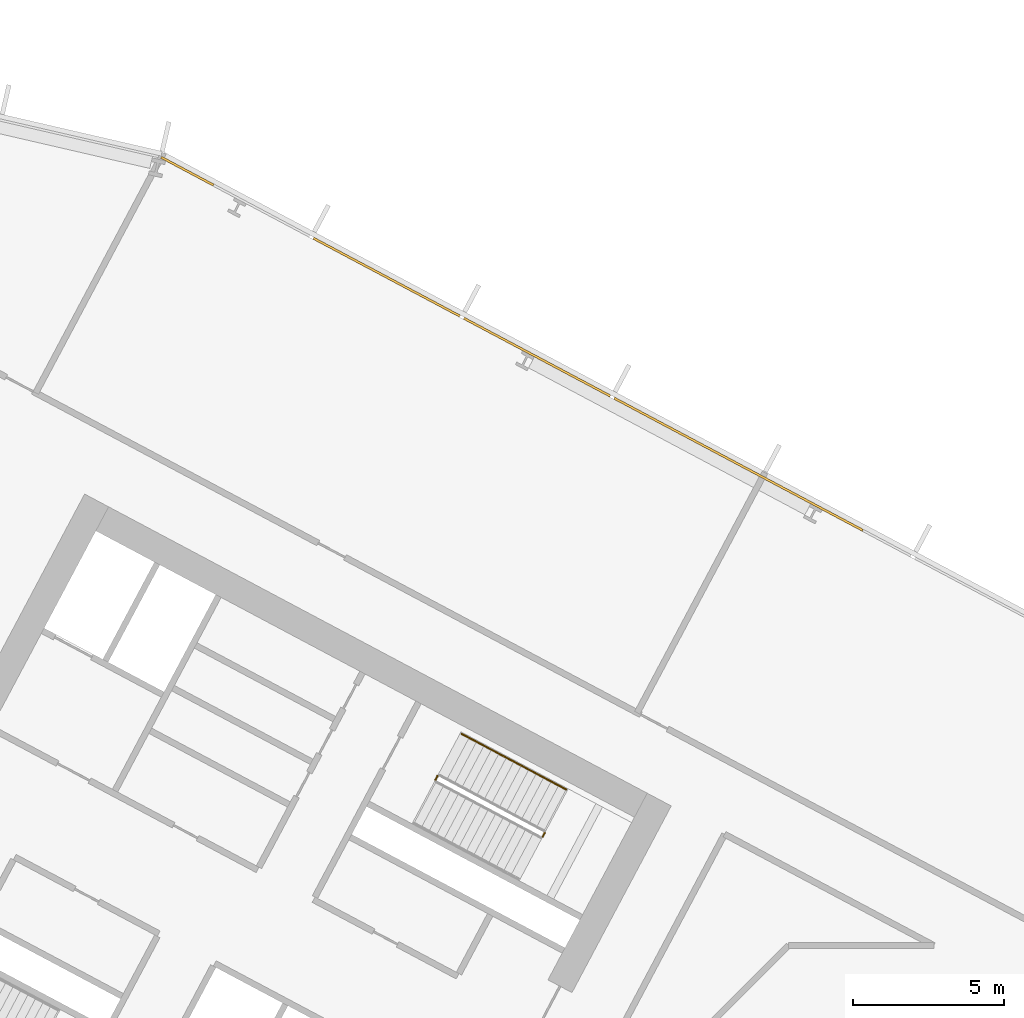
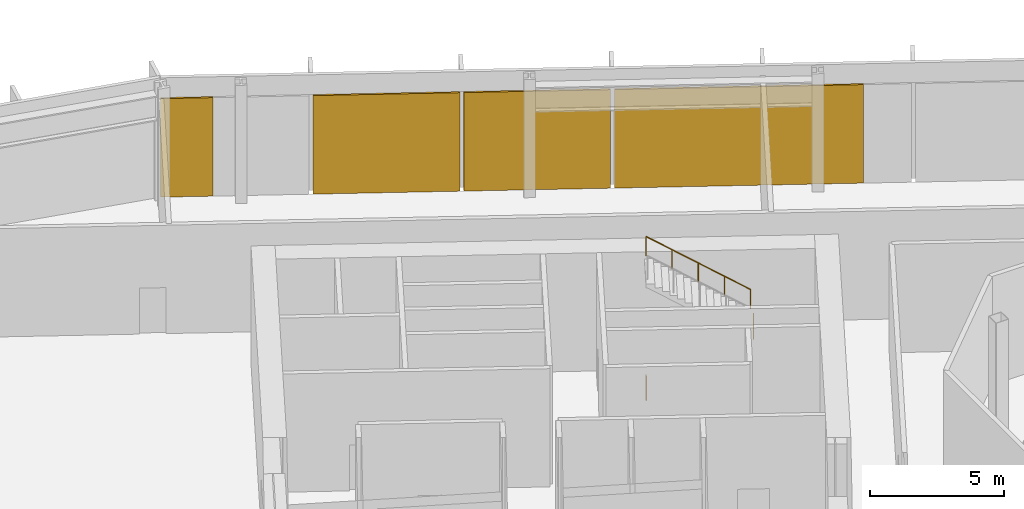
# One storey, part 25 of 32: 4 coverings, 3 railings, 1 element without a shape of its own.
"""IFC4 building model written with IfcOpenShell, lengths in metres."""

import ifcopenshell
import ifcopenshell.guid

model = None  # the IFC model being written
_history = None  # IfcOwnerHistory: only IFC2X3 demands one
_inside = {}  # id of a spatial element -> (the spatial element, [elements in it])
_under = {}  # id of a project, library or spatial element -> (it, [spatial elements below it])
_declared = {}  # id of a project -> (the project, [libraries it declares])
_typed = {}  # id of a type object -> (the type object, [elements of that type])
_made_of = {}  # id of a material, layer set ... -> (it, [elements and type objects made of it])


def new_model(schema):
    """Start an empty IFC model of exactly this schema.

    Asked for "IFC4X3", IfcOpenShell would pick the latest addendum, in which some entities
    have other attributes; the version numbers below select the first issue.
    IFC2X3 requires an IfcOwnerHistory on every rooted entity: one is made here for all.
    """
    global model, _history
    if schema == "IFC4X3":
        model = ifcopenshell.file(schema_version=(4, 3, 0, 0))
    else:
        model = ifcopenshell.file(schema=schema)
    _inside.clear()
    _under.clear()
    _declared.clear()
    _typed.clear()
    _made_of.clear()
    _history = None
    if model.schema == "IFC2X3":
        org = make("IfcOrganization", Name="unknown")
        user = make(
            "IfcPersonAndOrganization",
            ThePerson=make("IfcPerson", FamilyName="unknown"),
            TheOrganization=org,
        )
        app = make(
            "IfcApplication",
            ApplicationDeveloper=org,
            Version="unknown",
            ApplicationFullName="unknown",
            ApplicationIdentifier="unknown",
        )
        _history = make(
            "IfcOwnerHistory",
            OwningUser=user,
            OwningApplication=app,
            ChangeAction="ADDED",
            CreationDate=0,
        )
    return model


def make(cls, **values):
    """One entity of the class cls with the attributes given. An attribute that is None is left unset."""
    return model.create_entity(
        cls, **{name: value for name, value in values.items() if value is not None}
    )


def rooted(cls, **values):
    """An entity with a GlobalId (a new one), such as an element, a storey or a relation."""
    return make(cls, GlobalId=ifcopenshell.guid.new(), OwnerHistory=_history, **values)


def si_unit(unit_type, name, prefix=None):
    """IfcSIUnit, for example si_unit("LENGTHUNIT", "METRE", prefix="MILLI")."""
    return make("IfcSIUnit", UnitType=unit_type, Prefix=prefix, Name=name)


def assignment(units):
    """IfcUnitAssignment: the units of a project."""
    return None if units is None else make("IfcUnitAssignment", Units=units)


def point(xyz):
    """IfcCartesianPoint."""
    return None if xyz is None else make("IfcCartesianPoint", Coordinates=xyz)


def direction(xyz):
    """IfcDirection."""
    return None if xyz is None else make("IfcDirection", DirectionRatios=xyz)


def frame(location, z_axis=None, x_axis=None):
    """IfcAxis2Placement3D, a coordinate frame: its origin and axes. An axis left out is left unset."""
    return make(
        "IfcAxis2Placement3D",
        Location=point(location),
        Axis=direction(z_axis),
        RefDirection=direction(x_axis),
    )


def frame_2d(location, x_axis=None):
    """IfcAxis2Placement2D, a coordinate frame in the plane: its origin and x axis."""
    return make(
        "IfcAxis2Placement2D", Location=point(location), RefDirection=direction(x_axis)
    )


def origin():
    """The frame at (0, 0, 0) with its axes left unset."""
    return frame((0.0, 0.0, 0.0))


def origin_2d():
    """The frame at (0, 0) in the plane with its x axis left unset."""
    return frame_2d((0.0, 0.0))


def place(relative_to, where):
    """IfcLocalPlacement: puts the frame where relative to a parent placement (None: the world)."""
    return make(
        "IfcLocalPlacement", PlacementRelTo=relative_to, RelativePlacement=where
    )


def context(
    kind, dimensions, precision=None, world=None, true_north=None, identifier=None
):
    """IfcGeometricRepresentationContext, for example the 3D "Model" context."""
    return make(
        "IfcGeometricRepresentationContext",
        ContextIdentifier=identifier,
        ContextType=kind,
        CoordinateSpaceDimension=dimensions,
        Precision=precision,
        WorldCoordinateSystem=world,
        TrueNorth=true_north,
    )


def subcontext(parent, identifier, kind, view, scale=None):
    """IfcGeometricRepresentationSubContext, for example "Body" below "Model"."""
    return make(
        "IfcGeometricRepresentationSubContext",
        ContextIdentifier=identifier,
        ContextType=kind,
        ParentContext=parent,
        TargetScale=scale,
        TargetView=view,
    )


def project(units=None, contexts=None):
    """IfcProject with its units and contexts."""
    return rooted(
        "IfcProject",
        Name="project",
        RepresentationContexts=contexts,
        UnitsInContext=assignment(units),
    )


def spatial(cls, under=None, at=None, **own):
    """A site, building, storey or space (cls), placed at a placement, below another one or the project."""
    s = rooted(cls, ObjectPlacement=at, **own)
    if under is not None:
        _under.setdefault(under.id(), (under, []))[1].append(s)
    return s


def polyline(points):
    """IfcPolyline through the points."""
    return make("IfcPolyline", Points=[point(p) for p in points])


def profile(cls, at=None, kind="AREA", **sizes):
    """A parametric profile (cls). Its sizes go by their IFC names, for example OverallWidth=200.0."""
    return make(cls, ProfileType=kind, Position=at, **sizes)


def rectangle(**sizes):
    """IfcRectangleProfileDef."""
    return profile("IfcRectangleProfileDef", **sizes)


def outline(outer, holes=None, kind="AREA"):
    """IfcArbitraryClosedProfileDef: a profile drawn as a closed curve; with holes, ...WithVoids."""
    if holes is None:
        return make("IfcArbitraryClosedProfileDef", ProfileType=kind, OuterCurve=outer)
    return make(
        "IfcArbitraryProfileDefWithVoids",
        ProfileType=kind,
        OuterCurve=outer,
        InnerCurves=holes,
    )


def extrude(swept, where, along, depth):
    """IfcExtrudedAreaSolid: the profile swept, set in the frame where, extruded along a direction by depth."""
    return make(
        "IfcExtrudedAreaSolid",
        SweptArea=swept,
        Position=where,
        ExtrudedDirection=direction(along),
        Depth=depth,
    )


def shape(context_of_items, identifier, shape_type, items):
    """IfcShapeRepresentation: the items that make up one representation, for example the "Body"."""
    return make(
        "IfcShapeRepresentation",
        ContextOfItems=context_of_items,
        RepresentationIdentifier=identifier,
        RepresentationType=shape_type,
        Items=items,
    )


def material(Name=None, Category=None):
    """IfcMaterial."""
    return make("IfcMaterial", Name=Name, Category=Category)


def layer(
    of_material, thickness, ventilated=None, Name=None, Category=None, Priority=None
):
    """IfcMaterialLayer: one layer of a wall or slab, of a material (None: an air gap)."""
    return make(
        "IfcMaterialLayer",
        Material=of_material,
        LayerThickness=thickness,
        IsVentilated=ventilated,
        Name=Name,
        Category=Category,
        Priority=Priority,
    )


def layer_set(layers, Name=None):
    """IfcMaterialLayerSet."""
    return make("IfcMaterialLayerSet", MaterialLayers=layers, LayerSetName=Name)


def made_of(thing, what):
    """Note that an element or type object is made of a material, layer set ...; save() writes the relation."""
    if what is not None:
        _made_of.setdefault(what.id(), (what, []))[1].append(thing)
    return thing


def type_object(cls, material=None, **own):
    """A type object (cls), such as IfcWallType, which elements share."""
    return made_of(rooted(cls, **own), material)


def element(
    cls,
    number,
    at=None,
    inside=None,
    cuts=None,
    type_object=None,
    material=None,
    context=None,
    identifier="Body",
    shape_type=None,
    held_by="IfcProductDefinitionShape",
    body=None,
    shapes=None,
    **own,
):
    """One element of the class cls, such as IfcWall. Its Tag is "e" and its number.

    at: its placement. inside: the storey or other place that contains it. cuts: it is an
    opening in that element (IfcRelVoidsElement). A single representation is given by context,
    identifier, shape_type and body (its items); several are given by shapes. held_by: the class
    of the entity that holds the representations. save() writes the other relations.
    """
    e = rooted(cls, Tag="e%d" % number, ObjectPlacement=at, **own)
    if body is not None:
        shapes = [shape(context, identifier, shape_type, body)]
    if shapes is not None:
        e.Representation = make(held_by, Representations=shapes)
    if inside is not None:
        _inside.setdefault(inside.id(), (inside, []))[1].append(e)
    if cuts is not None:
        rooted(
            "IfcRelVoidsElement", RelatingBuildingElement=cuts, RelatedOpeningElement=e
        )
    if type_object is not None:
        _typed.setdefault(type_object.id(), (type_object, []))[1].append(e)
    return made_of(e, material)


def aggregate(whole, parts):
    """IfcRelAggregates: a whole, such as a stair, and the parts it consists of."""
    return rooted("IfcRelAggregates", RelatingObject=whole, RelatedObjects=parts)


def save(model, path):
    """Write the relations noted so far, then the file.

    IfcRelAggregates (storeys below a building ...), IfcRelContainedInSpatialStructure (elements
    in a storey), IfcRelDefinesByType, IfcRelAssociatesMaterial and IfcRelDeclares: one each for
    every whole, place, type object, material and project.
    """
    for whole, parts in _under.values():
        aggregate(whole, parts)
    for where, things in _inside.values():
        rooted(
            "IfcRelContainedInSpatialStructure",
            RelatedElements=things,
            RelatingStructure=where,
        )
    for kind, things in _typed.values():
        rooted("IfcRelDefinesByType", RelatedObjects=things, RelatingType=kind)
    for what, things in _made_of.values():
        rooted("IfcRelAssociatesMaterial", RelatedObjects=things, RelatingMaterial=what)
    for by, libraries in _declared.values():
        rooted("IfcRelDeclares", RelatingContext=by, RelatedDefinitions=libraries)
    model.write(path)


model = new_model("IFC4")

# Units and contexts
model_context = context("Model", 3, precision=1e-05, world=origin(), true_north=direction((0.0, 1.0)))
body_context = subcontext(model_context, "Body", "Model", "MODEL_VIEW")
ifc_project = project(units=[si_unit("LENGTHUNIT", "METRE"), si_unit("AREAUNIT", "SQUARE_METRE"), si_unit("VOLUMEUNIT", "CUBIC_METRE"), si_unit("PLANEANGLEUNIT", "RADIAN"), si_unit("MASSUNIT", "GRAM", prefix="KILO")], contexts=[model_context])

# Site, building, storey
site_placement = place(None, origin())
site = spatial("IfcSite", under=ifc_project, at=site_placement, CompositionType="ELEMENT")
building_placement = place(site_placement, origin())
building = spatial("IfcBuilding", under=site, at=building_placement, Name="Cormorant Relay Tower", CompositionType="ELEMENT")
storey_placement = place(building_placement, frame((0.0, 0.0, 39.199951171875)))
storey = spatial("IfcBuildingStorey", under=building, at=storey_placement, Name="L07", CompositionType="ELEMENT", Elevation=39.199951171875)

# Curtain wall, coverings
ifc_material_1 = material(Name="Aluminium 6063-T6 anodised bronze", Category="aluminium")
ifc_layer_1 = layer(ifc_material_1, 0.235107421875)
ifc_layer_set_1 = layer_set([ifc_layer_1], Name="CW6 data hall curtain wall with mineral wool panels")
curtain_wall_type = type_object("IfcCurtainWallType", Name="CW6 data hall curtain wall with mineral wool panels", PredefinedType="NOTDEFINED", material=ifc_layer_set_1)
curtain_wall_placement = place(storey_placement, origin())
curtain_wall = element("IfcCurtainWall", 1, at=curtain_wall_placement, inside=storey, type_object=curtain_wall_type, Name="CW6 curtain wall 7", PredefinedType="NOTDEFINED")
ifc_material_2 = material(Name="Mineral wool cored anodised bronze aluminium cassette panel", Category="aluminium")
ifc_layer_2 = layer(ifc_material_2, 0.074951171875)
ifc_layer_set_2 = layer_set([ifc_layer_2], Name="CW6 mineral wool cassette panel 75")
covering_type = type_object("IfcCoveringType", Name="CW6 mineral wool cassette panel 75", PredefinedType="CLADDING", material=ifc_layer_set_2)
covering_1_placement = place(storey_placement, frame((-10.735107421875, 29.5341796875, 0.0), z_axis=(0.0, 0.0, 1.0), x_axis=(-0.882947592859, 0.469471562786, 0.0)))
covering_1 = element("IfcCovering", 2, at=covering_1_placement, type_object=covering_type, Name="CW6 panel S02", PredefinedType="CLADDING", context=body_context, shape_type="SweptSolid", body=[
    extrude(rectangle(XDim=9.327880859375, YDim=0.074951171875, at=origin_2d()), origin(), (0.0, 0.0, 1.0), 4.5),
])
covering_2_placement = place(storey_placement, frame((-17.40869140625, 33.082763671875, 0.0), z_axis=(0.0, 0.0, 1.0), x_axis=(-0.882947592859, 0.469471562786, 0.0)))
covering_2 = element("IfcCovering", 3, at=covering_2_placement, type_object=covering_type, Name="CW6 panel S03", PredefinedType="CLADDING", context=body_context, shape_type="SweptSolid", body=[
    extrude(rectangle(XDim=5.489013671875, YDim=0.074951171875, at=origin_2d()), origin(), (0.0, 0.0, 1.0), 4.5),
])
covering_3_placement = place(storey_placement, frame((-22.3876953125, 35.730224609375, 0.0), z_axis=(0.0, 0.0, 1.0), x_axis=(-0.882947592859, 0.469471562786, 0.0)))
covering_3 = element("IfcCovering", 4, at=covering_3_placement, type_object=covering_type, Name="CW6 panel S04", PredefinedType="CLADDING", context=body_context, shape_type="SweptSolid", body=[
    extrude(rectangle(XDim=5.489013671875, YDim=0.074951171875, at=origin_2d()), origin(), (0.0, 0.0, 1.0), 4.5),
])
covering_4_placement = place(storey_placement, frame((-28.989013671875, 39.240234375, 0.0), z_axis=(0.0, 0.0, 1.0), x_axis=(-0.882947592859, 0.469471562786, 0.0)))
covering_4 = element("IfcCovering", 5, at=covering_4_placement, type_object=covering_type, Name="CW6 panel S06", PredefinedType="CLADDING", context=body_context, shape_type="SweptSolid", body=[
    extrude(rectangle(XDim=1.964111328125, YDim=0.074951171875, at=origin_2d()), origin(), (0.0, 0.0, 1.0), 4.5),
])
aggregate(curtain_wall, [covering_1, covering_2, covering_3, covering_4])

# Railings
ifc_material_3 = material(Name="Steel ASTM A572 Grade 50 (Fy 345 MPa)", Category="steel")
railing_type_1 = type_object("IfcRailingType", Name="Stair guard 1100", PredefinedType="GUARDRAIL", material=ifc_material_3)
railing_1_placement = place(storey_placement, frame((-17.2216796875, 17.1982421875, 2.699951171875)))
element("IfcRailing", 6, at=railing_1_placement, inside=storey, type_object=railing_type_1, Name="L07 A1 stair guard 2", PredefinedType="GUARDRAIL", context=body_context, shape_type="SweptSolid", body=[
    extrude(outline(polyline([(0.022216796875, 0.00927734375), (0.00927734375, 0.022216796875), (-0.00927734375, 0.022216796875), (-0.022216796875, 0.00927734375), (-0.022216796875, -0.00927734375), (-0.00927734375, -0.022216796875), (0.00927734375, -0.022216796875), (0.022216796875, -0.00927734375), (0.022216796875, 0.00927734375)])), frame((0.0, 0.0, 1.076171875), z_axis=(0.469234640946, 0.883073525669, 0.0), x_axis=(-0.883073525669, 0.469234640946, 0.0)), (0.0, 0.0, 1.0), 0.14990234375),
    extrude(outline(polyline([(0.019287109375, 0.008056640625), (0.008056640625, 0.019287109375), (-0.008056640625, 0.019287109375), (-0.019287109375, 0.008056640625), (-0.019287109375, -0.008056640625), (-0.008056640625, -0.019287109375), (0.008056640625, -0.019287109375), (0.019287109375, -0.008056640625), (0.019287109375, 0.008056640625)])), origin(), (0.0, 0.0, 1.0), 1.052001953125),
    extrude(outline(polyline([(0.019287109375, 0.008056640625), (0.008056640625, 0.019287109375), (-0.008056640625, 0.019287109375), (-0.019287109375, 0.008056640625), (-0.019287109375, -0.008056640625), (-0.008056640625, -0.019287109375), (0.008056640625, -0.019287109375), (0.019287109375, -0.008056640625), (0.019287109375, 0.008056640625)])), frame((0.0703125, 0.13232421875, 0.0)), (0.0, 0.0, 1.0), 1.052001953125),
])
railing_2_placement = place(storey_placement, frame((-20.771240234375, 19.08544921875, 0.0)))
element("IfcRailing", 7, at=railing_2_placement, inside=storey, type_object=railing_type_1, Name="L07 A1 stair guard 4", PredefinedType="GUARDRAIL", context=body_context, shape_type="SweptSolid", body=[
    extrude(outline(polyline([(0.022216796875, 0.00927734375), (0.00927734375, 0.022216796875), (-0.00927734375, 0.022216796875), (-0.022216796875, 0.00927734375), (-0.022216796875, -0.00927734375), (-0.00927734375, -0.022216796875), (0.00927734375, -0.022216796875), (0.022216796875, -0.00927734375), (0.022216796875, 0.00927734375)])), frame((0.0, 0.0, 1.076171875), z_axis=(0.469828648786, 0.882757634224, 0.0), x_axis=(-0.882757634224, 0.469828648786, 0.0)), (0.0, 0.0, 1.0), 0.150146484375),
    extrude(outline(polyline([(0.019287109375, 0.008056640625), (0.008056640625, 0.019287109375), (-0.008056640625, 0.019287109375), (-0.019287109375, 0.008056640625), (-0.019287109375, -0.008056640625), (-0.008056640625, -0.019287109375), (0.008056640625, -0.019287109375), (0.019287109375, -0.008056640625), (0.019287109375, 0.008056640625)])), origin(), (0.0, 0.0, 1.0), 1.052001953125),
    extrude(outline(polyline([(0.019287109375, 0.008056640625), (0.008056640625, 0.019287109375), (-0.008056640625, 0.019287109375), (-0.019287109375, 0.008056640625), (-0.019287109375, -0.008056640625), (-0.008056640625, -0.019287109375), (0.008056640625, -0.019287109375), (0.019287109375, -0.008056640625), (0.019287109375, 0.008056640625)])), frame((0.070556640625, 0.132568359375, 0.0)), (0.0, 0.0, 1.0), 1.052001953125),
])
ifc_material_4 = material(Name="Steel ASTM A572 Grade 50 (Fy 345 MPa)", Category="steel")
railing_type_2 = type_object("IfcRailingType", Name="Stair handrail 900", PredefinedType="HANDRAIL", material=ifc_material_4)
railing_3_placement = place(storey_placement, frame((-16.4443359375, 18.766845703125, 2.880126953125)))
element("IfcRailing", 8, at=railing_3_placement, inside=storey, type_object=railing_type_2, Name="L07 A1 stair handrail 2", PredefinedType="HANDRAIL", context=body_context, shape_type="SweptSolid", body=[
    extrude(outline(polyline([(0.022216796875, 0.00927734375), (0.00927734375, 0.022216796875), (-0.00927734375, 0.022216796875), (-0.022216796875, 0.00927734375), (-0.022216796875, -0.00927734375), (-0.00927734375, -0.022216796875), (0.00927734375, -0.022216796875), (0.022216796875, -0.00927734375), (0.022216796875, 0.00927734375)])), frame((0.0, 0.0, 0.8759765625), z_axis=(-0.74271721126, 0.394907409077, 0.540758062681), x_axis=(-0.469469396681, -0.882948744594, 0.0)), (0.0, 0.0, 1.0), 4.66015625),
    extrude(outline(polyline([(0.019287109375, 0.008056640625), (0.008056640625, 0.019287109375), (-0.008056640625, 0.019287109375), (-0.019287109375, 0.008056640625), (-0.019287109375, -0.008056640625), (-0.008056640625, -0.019287109375), (0.008056640625, -0.019287109375), (0.019287109375, -0.008056640625), (0.019287109375, 0.008056640625)])), origin(), (0.0, 0.0, 1.0), 0.851806640625),
    extrude(outline(polyline([(0.019287109375, 0.008056640625), (0.008056640625, 0.019287109375), (-0.008056640625, 0.019287109375), (-0.019287109375, 0.008056640625), (-0.019287109375, -0.008056640625), (-0.008056640625, -0.019287109375), (0.008056640625, -0.019287109375), (0.019287109375, -0.008056640625), (0.019287109375, 0.008056640625)])), frame((-0.865234375, 0.4599609375, 0.6298828125)), (0.0, 0.0, 1.0), 0.851806640625),
    extrude(outline(polyline([(0.019287109375, 0.008056640625), (0.008056640625, 0.019287109375), (-0.008056640625, 0.019287109375), (-0.019287109375, 0.008056640625), (-0.019287109375, -0.008056640625), (-0.008056640625, -0.019287109375), (0.008056640625, -0.019287109375), (0.019287109375, -0.008056640625), (0.019287109375, 0.008056640625)])), frame((-1.73046875, 0.920166015625, 1.260009765625)), (0.0, 0.0, 1.0), 0.851806640625),
    extrude(outline(polyline([(0.019287109375, 0.008056640625), (0.008056640625, 0.019287109375), (-0.008056640625, 0.019287109375), (-0.019287109375, 0.008056640625), (-0.019287109375, -0.008056640625), (-0.008056640625, -0.019287109375), (0.008056640625, -0.019287109375), (0.019287109375, -0.008056640625), (0.019287109375, 0.008056640625)])), frame((-2.595947265625, 1.38037109375, 1.89013671875)), (0.0, 0.0, 1.0), 0.851806640625),
    extrude(outline(polyline([(0.019287109375, 0.008056640625), (0.008056640625, 0.019287109375), (-0.008056640625, 0.019287109375), (-0.019287109375, 0.008056640625), (-0.019287109375, -0.008056640625), (-0.008056640625, -0.019287109375), (0.008056640625, -0.019287109375), (0.019287109375, -0.008056640625), (0.019287109375, 0.008056640625)])), frame((-3.461181640625, 1.84033203125, 2.52001953125)), (0.0, 0.0, 1.0), 0.851806640625),
])

save(model, "model.ifc")
